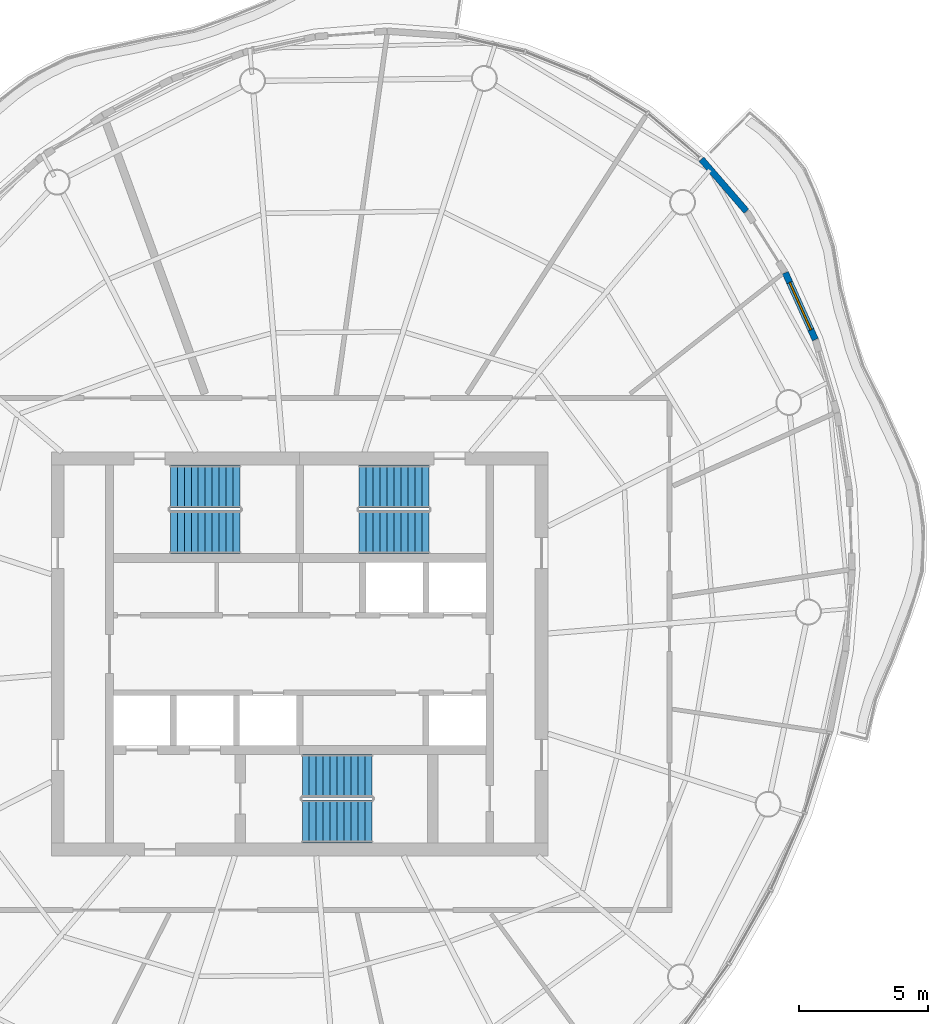
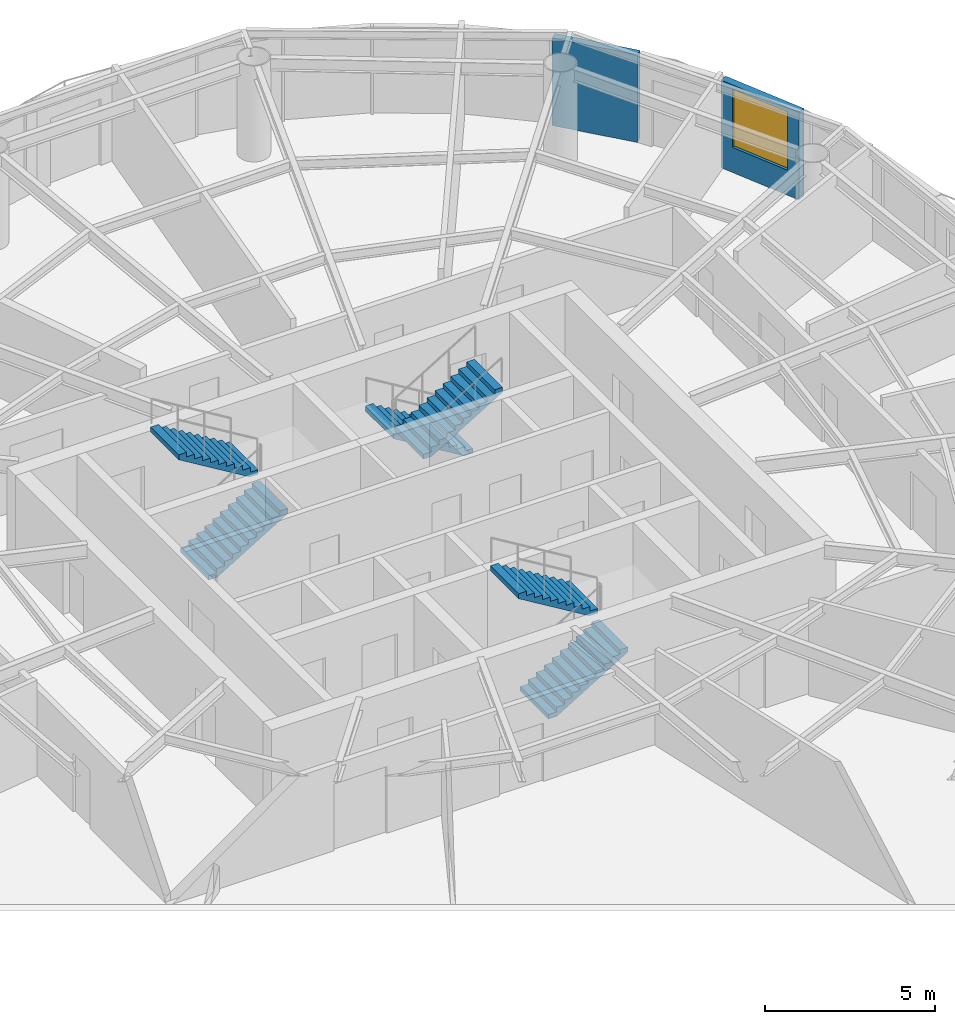
# One storey, part 10 of 13: 6 stair flights, 2 walls, 1 window, 1 opening, 3 elements without a shape of their own.
"""IFC4 building model written with IfcOpenShell, lengths in metres."""

from ifc_helpers import new_model, si_unit, direction, frame, frame_2d, origin, place, context, subcontext, project, spatial, polyline, rectangle, outline, extrude, material, layer, layer_set, type_object, element, fill, aggregate, save


model = new_model("IFC4")

# Units and contexts
model_context = context("Model", 3, precision=1e-05, world=origin(), true_north=direction((0.0, 1.0)))
body_context = subcontext(model_context, "Body", "Model", "MODEL_VIEW")
ifc_project = project(units=[si_unit("LENGTHUNIT", "METRE"), si_unit("AREAUNIT", "SQUARE_METRE"), si_unit("VOLUMEUNIT", "CUBIC_METRE"), si_unit("PLANEANGLEUNIT", "RADIAN"), si_unit("MASSUNIT", "GRAM", prefix="KILO")], contexts=[model_context])

# Site, building, storey
site_placement = place(None, origin())
site = spatial("IfcSite", under=ifc_project, at=site_placement, CompositionType="ELEMENT")
building_placement = place(site_placement, origin())
building = spatial("IfcBuilding", under=site, at=building_placement, Name="Vermilion Reach Broadcast Tower", CompositionType="ELEMENT")
storey_placement = place(building_placement, frame((0.0, 0.0, 286.5)))
storey = spatial("IfcBuildingStorey", under=building, at=storey_placement, Name="L71", CompositionType="ELEMENT", Elevation=286.5)

# Wall, opening, window
ifc_material_1 = material(Name="Terracotta rainscreen cladding", Category="masonry")
ifc_layer = layer(ifc_material_1, 0.25)
ifc_layer_set = layer_set([ifc_layer], Name="Terracotta rainscreen wall 250")
wall_type = type_object("IfcWallType", Name="Terracotta rainscreen wall 250", PredefinedType="SOLIDWALL", material=ifc_layer_set)
wall_1_placement = place(storey_placement, frame((13.9306640625, 12.151123046875, 0.0), z_axis=(0.0, 0.0, 1.0), x_axis=(-0.409357706151, 0.91237397399, 0.0)))
wall_1 = element("IfcWall", 1, at=wall_1_placement, inside=storey, type_object=wall_type, Name="External wall L71 43", PredefinedType="SOLIDWALL", context=body_context, shape_type="SweptSolid", body=[
    extrude(rectangle(XDim=2.83349609375, YDim=0.25, at=frame_2d((1.416748046875, 0.0))), origin(), (0.0, 0.0, 1.0), 3.14990234375),
])
opening_placement = place(wall_1_placement, frame((0.416748046875, 0.0, 0.89990234375)))
opening = element("IfcOpeningElement", 2, at=opening_placement, cuts=wall_1, Name="Opening W03", PredefinedType="OPENING", context=body_context, shape_type="SweptSolid", body=[
    extrude(rectangle(XDim=2.0, YDim=2.10009765625, at=frame_2d((1.0, 1.050048828125))), frame((0.0, 0.135009765625, 0.0), z_axis=(0.0, -1.0, 0.0), x_axis=(1.0, 0.0, 0.0)), (0.0, 0.0, 1.0), 0.27001953125),
])
ifc_material_2 = material(Name="Low-e laminated clear glass in aluminium frame", Category="aluminium")
window_type = type_object("IfcWindowType", Name="Punched window 2000 x 2100 sill 900", PartitioningType="SINGLE_PANEL", PredefinedType="WINDOW", material=ifc_material_2)
window_placement = place(opening_placement, origin())
window = element("IfcWindow", 3, at=window_placement, inside=storey, type_object=window_type, Name="Window L71 43", OverallHeight=2.10009765625, OverallWidth=2.0, PartitioningType="SINGLE_PANEL", PredefinedType="WINDOW", context=body_context, shape_type="SweptSolid", body=[
    extrude(rectangle(XDim=2.0, YDim=2.10009765625, at=frame_2d((1.0, 1.050048828125))), frame((0.0, 0.030029296875, 0.0), z_axis=(0.0, -1.0, 0.0), x_axis=(1.0, 0.0, 0.0)), (0.0, 0.0, 1.0), 0.06005859375),
])
fill(opening, window)

# Wall
wall_2_placement = place(storey_placement, frame((11.267333984375, 17.112548828125, 0.0), z_axis=(0.0, 0.0, 1.0), x_axis=(-0.654220123959, 0.756304191055, 0.0)))
element("IfcWall", 4, at=wall_2_placement, inside=storey, type_object=wall_type, Name="External wall L71 45", PredefinedType="SOLIDWALL", context=body_context, shape_type="SweptSolid", body=[
    extrude(rectangle(XDim=2.656982421875, YDim=0.25, at=frame_2d((1.32861328125, 0.0))), origin(), (0.0, 0.0, 1.0), 3.14990234375),
])

# Stair, stair flights
ifc_material_3 = material(Name="Concrete C40", Category="concrete")
stair_type = type_object("IfcStairType", Name="Exit stair RC 22 risers 164 mm", PredefinedType="HALF_TURN_STAIR", material=ifc_material_3)
placement = place(storey_placement, origin())
stair_1 = element("IfcStair", 5, at=placement, inside=storey, type_object=stair_type, Name="L71 Exit stair ST1", PredefinedType="HALF_TURN_STAIR")
ifc_material_4 = material(Name="Concrete C40", Category="concrete")
stair_flight_type = type_object("IfcStairFlightType", Name="Exit stair flight RC 11 risers", PredefinedType="STRAIGHT", material=ifc_material_4)
stair_flight_1_placement = place(storey_placement, frame((-11.0, 4.7099609375, 0.0), z_axis=(0.0, 0.0, 1.0), x_axis=(1.0, 0.0, 0.0)))
stair_flight_1 = element("IfcStairFlight", 6, at=stair_flight_1_placement, type_object=stair_flight_type, Name="ST1 flight 1", NumberOfRisers=11, NumberOfTreads=10, PredefinedType="STRAIGHT", RiserHeight=0.163636364, TreadLength=0.27, context=body_context, shape_type="SweptSolid", body=[
    extrude(outline(polyline([(0.0, 0.0), (0.0, 0.16357421875), (0.27001953125, 0.16357421875), (0.27001953125, 0.327392578125), (0.5400390625, 0.327392578125), (0.5400390625, 0.490966796875), (0.81005859375, 0.490966796875), (0.81005859375, 0.654541015625), (1.080078125, 0.654541015625), (1.080078125, 0.818115234375), (1.35009765625, 0.818115234375), (1.35009765625, 0.98193359375), (1.6201171875, 0.98193359375), (1.6201171875, 1.1455078125), (1.889892578125, 1.1455078125), (1.889892578125, 1.30908203125), (2.159912109375, 1.30908203125), (2.159912109375, 1.47265625), (2.429931640625, 1.47265625), (2.429931640625, 1.636474609375), (2.699951171875, 1.636474609375), (2.699951171875, 1.800048828125), (2.699951171875, 1.461181640625), (0.289306640625, 0.0), (0.0, 0.0)])), frame((0.0, 0.830078125, 0.0), z_axis=(0.0, -1.0, 0.0), x_axis=(1.0, 0.0, 0.0)), (0.0, 0.0, 1.0), 1.659912109375),
])
stair_flight_2_placement = place(storey_placement, frame((-8.300048828125, 6.469970703125, 1.800048828125), z_axis=(0.0, 0.0, 1.0), x_axis=(-1.0, 0.0, 0.0)))
stair_flight_2 = element("IfcStairFlight", 7, at=stair_flight_2_placement, type_object=stair_flight_type, Name="ST1 flight 2", NumberOfRisers=11, NumberOfTreads=10, PredefinedType="STRAIGHT", RiserHeight=0.163636364, TreadLength=0.27, context=body_context, shape_type="SweptSolid", body=[
    extrude(outline(polyline([(0.0, 0.0), (0.0, 0.16357421875), (0.27001953125, 0.16357421875), (0.27001953125, 0.327392578125), (0.5400390625, 0.327392578125), (0.5400390625, 0.490966796875), (0.81005859375, 0.490966796875), (0.81005859375, 0.654541015625), (1.080078125, 0.654541015625), (1.080078125, 0.818115234375), (1.35009765625, 0.818115234375), (1.35009765625, 0.98193359375), (1.6201171875, 0.98193359375), (1.6201171875, 1.1455078125), (1.889892578125, 1.1455078125), (1.889892578125, 1.30908203125), (2.159912109375, 1.30908203125), (2.159912109375, 1.47265625), (2.429931640625, 1.47265625), (2.429931640625, 1.636474609375), (2.699951171875, 1.636474609375), (2.699951171875, 1.800048828125), (2.699951171875, 1.461181640625), (0.289306640625, 0.0), (0.0, 0.0)])), frame((0.0, 0.830078125, 0.0), z_axis=(0.0, -1.0, 0.0), x_axis=(1.0, 0.0, 0.0)), (0.0, 0.0, 1.0), 1.659912109375),
])
aggregate(stair_1, [stair_flight_1, stair_flight_2])

stair_2 = element("IfcStair", 8, at=placement, inside=storey, type_object=stair_type, Name="L71 Exit stair ST2", PredefinedType="HALF_TURN_STAIR")
stair_flight_3_placement = place(storey_placement, frame((-1.0, 6.469970703125, 0.0), z_axis=(0.0, 0.0, 1.0), x_axis=(-1.0, 0.0, 0.0)))
stair_flight_3 = element("IfcStairFlight", 9, at=stair_flight_3_placement, type_object=stair_flight_type, Name="ST2 flight 1", NumberOfRisers=11, NumberOfTreads=10, PredefinedType="STRAIGHT", RiserHeight=0.163636364, TreadLength=0.27, context=body_context, shape_type="SweptSolid", body=[
    extrude(outline(polyline([(0.0, 0.0), (0.0, 0.16357421875), (0.27001953125, 0.16357421875), (0.27001953125, 0.327392578125), (0.5400390625, 0.327392578125), (0.5400390625, 0.490966796875), (0.81005859375, 0.490966796875), (0.81005859375, 0.654541015625), (1.080078125, 0.654541015625), (1.080078125, 0.818115234375), (1.35009765625, 0.818115234375), (1.35009765625, 0.98193359375), (1.6201171875, 0.98193359375), (1.6201171875, 1.1455078125), (1.889892578125, 1.1455078125), (1.889892578125, 1.30908203125), (2.159912109375, 1.30908203125), (2.159912109375, 1.47265625), (2.429931640625, 1.47265625), (2.429931640625, 1.636474609375), (2.699951171875, 1.636474609375), (2.699951171875, 1.800048828125), (2.699951171875, 1.461181640625), (0.289306640625, 0.0), (0.0, 0.0)])), frame((0.0, 0.830078125, 0.0), z_axis=(0.0, -1.0, 0.0), x_axis=(1.0, 0.0, 0.0)), (0.0, 0.0, 1.0), 1.659912109375),
])
stair_flight_4_placement = place(storey_placement, frame((-3.699951171875, 4.7099609375, 1.800048828125), z_axis=(0.0, 0.0, 1.0), x_axis=(1.0, 0.0, 0.0)))
stair_flight_4 = element("IfcStairFlight", 10, at=stair_flight_4_placement, type_object=stair_flight_type, Name="ST2 flight 2", NumberOfRisers=11, NumberOfTreads=10, PredefinedType="STRAIGHT", RiserHeight=0.163636364, TreadLength=0.27, context=body_context, shape_type="SweptSolid", body=[
    extrude(outline(polyline([(0.0, 0.0), (0.0, 0.16357421875), (0.27001953125, 0.16357421875), (0.27001953125, 0.327392578125), (0.5400390625, 0.327392578125), (0.5400390625, 0.490966796875), (0.81005859375, 0.490966796875), (0.81005859375, 0.654541015625), (1.080078125, 0.654541015625), (1.080078125, 0.818115234375), (1.35009765625, 0.818115234375), (1.35009765625, 0.98193359375), (1.6201171875, 0.98193359375), (1.6201171875, 1.1455078125), (1.889892578125, 1.1455078125), (1.889892578125, 1.30908203125), (2.159912109375, 1.30908203125), (2.159912109375, 1.47265625), (2.429931640625, 1.47265625), (2.429931640625, 1.636474609375), (2.699951171875, 1.636474609375), (2.699951171875, 1.800048828125), (2.699951171875, 1.461181640625), (0.289306640625, 0.0), (0.0, 0.0)])), frame((0.0, 0.830078125, 0.0), z_axis=(0.0, -1.0, 0.0), x_axis=(1.0, 0.0, 0.0)), (0.0, 0.0, 1.0), 1.659912109375),
])
aggregate(stair_2, [stair_flight_3, stair_flight_4])

stair_3 = element("IfcStair", 11, at=placement, inside=storey, type_object=stair_type, Name="L71 Exit stair ST3", PredefinedType="HALF_TURN_STAIR")
stair_flight_5_placement = place(storey_placement, frame((-5.89990234375, -6.469970703125, 0.0), z_axis=(0.0, 0.0, 1.0), x_axis=(1.0, 0.0, 0.0)))
stair_flight_5 = element("IfcStairFlight", 12, at=stair_flight_5_placement, type_object=stair_flight_type, Name="ST3 flight 1", NumberOfRisers=11, NumberOfTreads=10, PredefinedType="STRAIGHT", RiserHeight=0.163636364, TreadLength=0.27, context=body_context, shape_type="SweptSolid", body=[
    extrude(outline(polyline([(0.0, 0.0), (0.0, 0.16357421875), (0.27001953125, 0.16357421875), (0.27001953125, 0.327392578125), (0.5400390625, 0.327392578125), (0.5400390625, 0.490966796875), (0.81005859375, 0.490966796875), (0.81005859375, 0.654541015625), (1.080078125, 0.654541015625), (1.080078125, 0.818115234375), (1.35009765625, 0.818115234375), (1.35009765625, 0.98193359375), (1.6201171875, 0.98193359375), (1.6201171875, 1.1455078125), (1.889892578125, 1.1455078125), (1.889892578125, 1.30908203125), (2.159912109375, 1.30908203125), (2.159912109375, 1.47265625), (2.429931640625, 1.47265625), (2.429931640625, 1.636474609375), (2.699951171875, 1.636474609375), (2.699951171875, 1.800048828125), (2.699951171875, 1.461181640625), (0.289306640625, 0.0), (0.0, 0.0)])), frame((0.0, 0.830078125, 0.0), z_axis=(0.0, -1.0, 0.0), x_axis=(1.0, 0.0, 0.0)), (0.0, 0.0, 1.0), 1.659912109375),
])
stair_flight_6_placement = place(storey_placement, frame((-3.199951171875, -4.7099609375, 1.800048828125), z_axis=(0.0, 0.0, 1.0), x_axis=(-1.0, 0.0, 0.0)))
stair_flight_6 = element("IfcStairFlight", 13, at=stair_flight_6_placement, type_object=stair_flight_type, Name="ST3 flight 2", NumberOfRisers=11, NumberOfTreads=10, PredefinedType="STRAIGHT", RiserHeight=0.163636364, TreadLength=0.27, context=body_context, shape_type="SweptSolid", body=[
    extrude(outline(polyline([(0.0, 0.0), (0.0, 0.16357421875), (0.27001953125, 0.16357421875), (0.27001953125, 0.327392578125), (0.5400390625, 0.327392578125), (0.5400390625, 0.490966796875), (0.81005859375, 0.490966796875), (0.81005859375, 0.654541015625), (1.080078125, 0.654541015625), (1.080078125, 0.818115234375), (1.35009765625, 0.818115234375), (1.35009765625, 0.98193359375), (1.6201171875, 0.98193359375), (1.6201171875, 1.1455078125), (1.889892578125, 1.1455078125), (1.889892578125, 1.30908203125), (2.159912109375, 1.30908203125), (2.159912109375, 1.47265625), (2.429931640625, 1.47265625), (2.429931640625, 1.636474609375), (2.699951171875, 1.636474609375), (2.699951171875, 1.800048828125), (2.699951171875, 1.461181640625), (0.289306640625, 0.0), (0.0, 0.0)])), frame((0.0, 0.830078125, 0.0), z_axis=(0.0, -1.0, 0.0), x_axis=(1.0, 0.0, 0.0)), (0.0, 0.0, 1.0), 1.659912109375),
])
aggregate(stair_3, [stair_flight_5, stair_flight_6])

save(model, "model.ifc")
